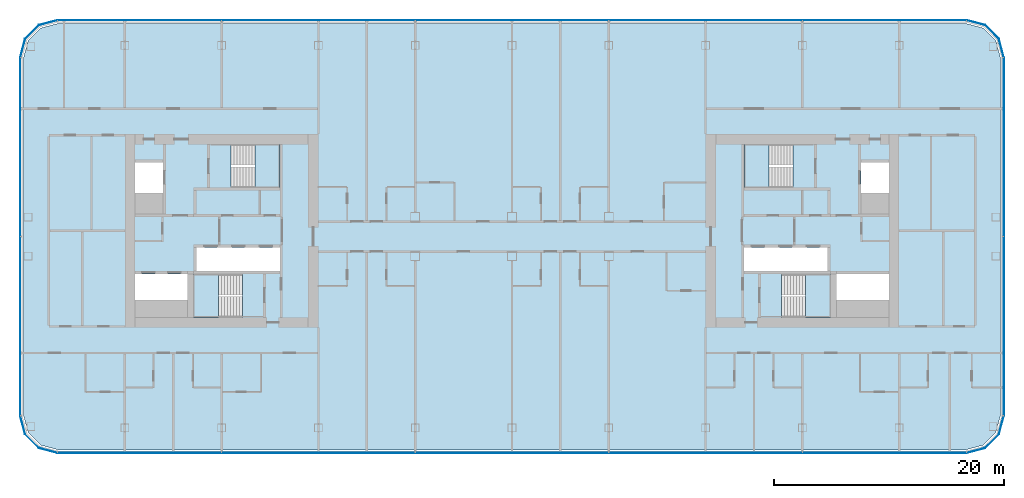
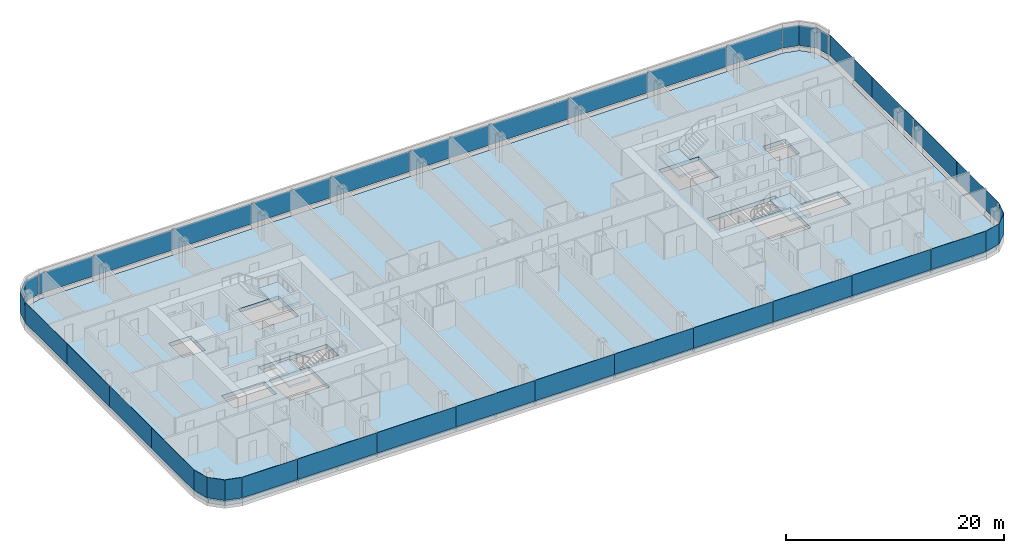
# One storey, part 11 of 26: 32 plates, 5 slabs, 12 elements without a shape of their own.
"""IFC4 building model written with IfcOpenShell, lengths in metres."""

from ifc_helpers import new_model, si_unit, direction, frame, origin, origin_2d, place, context, subcontext, project, spatial, polyline, rectangle, outline, extrude, material, layer, layer_set, type_object, element, aggregate, save


model = new_model("IFC4")

# Units and contexts
model_context = context("Model", 3, precision=1e-05, world=origin(), true_north=direction((0.0, 1.0)))
body_context = subcontext(model_context, "Body", "Model", "MODEL_VIEW")
ifc_project = project(units=[si_unit("LENGTHUNIT", "METRE"), si_unit("AREAUNIT", "SQUARE_METRE"), si_unit("VOLUMEUNIT", "CUBIC_METRE"), si_unit("PLANEANGLEUNIT", "RADIAN"), si_unit("MASSUNIT", "GRAM", prefix="KILO")], contexts=[model_context])

# Site, building, storey
site_placement = place(None, origin())
site = spatial("IfcSite", under=ifc_project, at=site_placement, CompositionType="ELEMENT")
building_placement = place(site_placement, origin())
building = spatial("IfcBuilding", under=site, at=building_placement, Name="Hakoniwa Tower and Hamabe Station Hall", CompositionType="ELEMENT")
storey_placement = place(building_placement, frame((0.0, 0.0, 172.60009765625)))
storey = spatial("IfcBuildingStorey", under=building, at=storey_placement, Name="L49", CompositionType="ELEMENT", Elevation=172.60009765625)

# Stair, slab
ifc_material_1 = material(Name="Concrete C40", Category="concrete")
stair_type = type_object("IfcStairType", Name="ESCAPE STAIR 1800", PredefinedType="HALF_TURN_STAIR", material=ifc_material_1)
stair_1_placement = place(storey_placement, origin())
stair_1 = element("IfcStair", 1, at=stair_1_placement, inside=storey, type_object=stair_type, Name="Escape stair ST-1 L49", PredefinedType="HALF_TURN_STAIR")
ifc_material_2 = material(Name="Concrete C40", Category="concrete")
ifc_layer_1 = layer(ifc_material_2, 0.25)
ifc_layer_set_1 = layer_set([ifc_layer_1], Name="CORE STAIR LANDING 250")
slab_type_1 = type_object("IfcSlabType", Name="CORE STAIR LANDING 250", PredefinedType="LANDING", material=ifc_layer_set_1)
slab_1_placement = place(storey_placement, frame((0.0, 0.0, 1.349853515625)))
slab_1 = element("IfcSlab", 2, at=slab_1_placement, type_object=slab_type_1, Name="ST-1 landing 1", PredefinedType="LANDING", context=body_context, shape_type="SweptSolid", body=[
    extrude(outline(polyline([(-22.320068359375, 3.75), (-20.14990234375, 3.75), (-20.14990234375, 7.5), (-22.320068359375, 7.5), (-22.320068359375, 3.75)])), origin(), (0.0, 0.0, 1.0), 0.25),
])
aggregate(stair_1, [slab_1])

stair_2_placement = place(storey_placement, origin())
stair_2 = element("IfcStair", 3, at=stair_2_placement, inside=storey, type_object=stair_type, Name="Escape stair ST-2 L49", PredefinedType="HALF_TURN_STAIR")
slab_2_placement = place(storey_placement, frame((0.0, 0.0, 1.349853515625)))
slab_2 = element("IfcSlab", 4, at=slab_2_placement, type_object=slab_type_1, Name="ST-2 landing 1", PredefinedType="LANDING", context=body_context, shape_type="SweptSolid", body=[
    extrude(outline(polyline([(-25.47998046875, -7.5), (-27.64990234375, -7.5), (-27.64990234375, -3.75), (-25.47998046875, -3.75), (-25.47998046875, -7.5)])), origin(), (0.0, 0.0, 1.0), 0.25),
])
aggregate(stair_2, [slab_2])

stair_3_placement = place(storey_placement, origin())
stair_3 = element("IfcStair", 5, at=stair_3_placement, inside=storey, type_object=stair_type, Name="Escape stair ST-3 L49", PredefinedType="HALF_TURN_STAIR")
slab_3_placement = place(storey_placement, frame((0.0, 0.0, 1.349853515625)))
slab_3 = element("IfcSlab", 6, at=slab_3_placement, type_object=slab_type_1, Name="ST-3 landing 1", PredefinedType="LANDING", context=body_context, shape_type="SweptSolid", body=[
    extrude(outline(polyline([(22.320068359375, 3.75), (20.14990234375, 3.75), (20.14990234375, 7.5), (22.320068359375, 7.5), (22.320068359375, 3.75)])), origin(), (0.0, 0.0, 1.0), 0.25),
])
aggregate(stair_3, [slab_3])

stair_4_placement = place(storey_placement, origin())
stair_4 = element("IfcStair", 7, at=stair_4_placement, inside=storey, type_object=stair_type, Name="Escape stair ST-4 L49", PredefinedType="HALF_TURN_STAIR")
slab_4_placement = place(storey_placement, frame((0.0, 0.0, 1.349853515625)))
slab_4 = element("IfcSlab", 8, at=slab_4_placement, type_object=slab_type_1, Name="ST-4 landing 1", PredefinedType="LANDING", context=body_context, shape_type="SweptSolid", body=[
    extrude(outline(polyline([(25.47998046875, -7.5), (27.64990234375, -7.5), (27.64990234375, -3.75), (25.47998046875, -3.75), (25.47998046875, -7.5)])), origin(), (0.0, 0.0, 1.0), 0.25),
])
aggregate(stair_4, [slab_4])

# Curtain wall, plates
ifc_material_3 = material(Name="Dark low-e laminated glass", Category="glass")
ifc_layer_2 = layer(ifc_material_3, 0.199951171875)
ifc_layer_set_2 = layer_set([ifc_layer_2], Name="CW-1 UNITISED GUEST")
curtain_wall_type = type_object("IfcCurtainWallType", Name="CW-1 UNITISED GUEST", PredefinedType="NOTDEFINED", material=ifc_layer_set_2)
curtain_wall_1_placement = place(storey_placement, origin())
curtain_wall_1 = element("IfcCurtainWall", 9, at=curtain_wall_1_placement, inside=storey, type_object=curtain_wall_type, Name="CW-1 curtain wall", PredefinedType="NOTDEFINED")
ifc_material_4 = material(Name="Dark low-e laminated glass", Category="glass")
ifc_layer_3 = layer(ifc_material_4, 0.028076171875)
ifc_layer_set_3 = layer_set([ifc_layer_3], Name="CW-1 GLASS UNIT")
plate_type = type_object("IfcPlateType", Name="CW-1 GLASS UNIT", PredefinedType="CURTAIN_PANEL", material=ifc_layer_set_3)
plate_1_placement = place(storey_placement, frame((42.68603515625, -12.154541015625, 0.35009765625), z_axis=(0.0, 0.0, 1.0), x_axis=(0.0, 1.0, 0.0)))
plate_1 = element("IfcPlate", 10, at=plate_1_placement, type_object=plate_type, Name="CW-1 glass unit", PredefinedType="CURTAIN_PANEL", context=body_context, shape_type="SweptSolid", body=[
    extrude(rectangle(XDim=7.749755859375, YDim=0.028076171875, at=origin_2d()), origin(), (0.0, 0.0, 1.0), 2.300048828125),
])
plate_2_placement = place(storey_placement, frame((42.68603515625, -4.384765625, 0.35009765625), z_axis=(0.0, 0.0, 1.0), x_axis=(0.0, 1.0, 0.0)))
plate_2 = element("IfcPlate", 11, at=plate_2_placement, type_object=plate_type, Name="CW-1 glass unit", PredefinedType="CURTAIN_PANEL", context=body_context, shape_type="SweptSolid", body=[
    extrude(rectangle(XDim=7.749755859375, YDim=0.028076171875, at=origin_2d()), origin(), (0.0, 0.0, 1.0), 2.300048828125),
])
plate_3_placement = place(storey_placement, frame((42.68603515625, 3.384765625, 0.35009765625), z_axis=(0.0, 0.0, 1.0), x_axis=(0.0, 1.0, 0.0)))
plate_3 = element("IfcPlate", 12, at=plate_3_placement, type_object=plate_type, Name="CW-1 glass unit", PredefinedType="CURTAIN_PANEL", context=body_context, shape_type="SweptSolid", body=[
    extrude(rectangle(XDim=7.749755859375, YDim=0.028076171875, at=origin_2d()), origin(), (0.0, 0.0, 1.0), 2.300048828125),
])
plate_4_placement = place(storey_placement, frame((42.68603515625, 11.154541015625, 0.35009765625), z_axis=(0.0, 0.0, 1.0), x_axis=(0.0, 1.0, 0.0)))
plate_4 = element("IfcPlate", 13, at=plate_4_placement, type_object=plate_type, Name="CW-1 glass unit", PredefinedType="CURTAIN_PANEL", context=body_context, shape_type="SweptSolid", body=[
    extrude(rectangle(XDim=7.749755859375, YDim=0.028076171875, at=origin_2d()), origin(), (0.0, 0.0, 1.0), 2.300048828125),
])
aggregate(curtain_wall_1, [plate_1, plate_2, plate_3, plate_4])

# Curtain wall, plate
curtain_wall_2_placement = place(storey_placement, origin())
curtain_wall_2 = element("IfcCurtainWall", 14, at=curtain_wall_2_placement, inside=storey, type_object=curtain_wall_type, Name="CW-1 curtain wall", PredefinedType="NOTDEFINED")
plate_5_placement = place(storey_placement, frame((0.0, 0.0, 0.349853515625)))
plate_5 = element("IfcPlate", 15, at=plate_5_placement, type_object=plate_type, Name="CW-1 curved corner unit", PredefinedType="CURTAIN_PANEL", context=body_context, shape_type="SweptSolid", body=[
    extrude(outline(polyline([(42.689697265625, 15.078125), (42.26708984375, 16.6552734375), (41.05517578125, 17.866943359375), (39.47802734375, 18.28955078125), (39.470947265625, 18.2626953125), (41.040771484375, 17.842041015625), (42.241943359375, 16.640869140625), (42.66259765625, 15.07080078125), (42.689697265625, 15.078125)])), origin(), (0.0, 0.0, 1.0), 2.300048828125),
])
aggregate(curtain_wall_2, [plate_5])

# Curtain wall, plates
curtain_wall_3_placement = place(storey_placement, origin())
curtain_wall_3 = element("IfcCurtainWall", 16, at=curtain_wall_3_placement, inside=storey, type_object=curtain_wall_type, Name="CW-1 curtain wall", PredefinedType="NOTDEFINED")
plate_6_placement = place(storey_placement, frame((36.519775390625, 18.285888671875, 0.35009765625), z_axis=(0.0, 0.0, 1.0), x_axis=(-1.0, 0.0, 0.0)))
plate_6 = element("IfcPlate", 17, at=plate_6_placement, type_object=plate_type, Name="CW-1 glass unit", PredefinedType="CURTAIN_PANEL", context=body_context, shape_type="SweptSolid", body=[
    extrude(rectangle(XDim=5.819580078125, YDim=0.028076171875, at=origin_2d()), origin(), (0.0, 0.0, 1.0), 2.300048828125),
])
plate_7_placement = place(storey_placement, frame((29.39990234375, 18.285888671875, 0.35009765625), z_axis=(0.0, 0.0, 1.0), x_axis=(-1.0, 0.0, 0.0)))
plate_7 = element("IfcPlate", 18, at=plate_7_placement, type_object=plate_type, Name="CW-1 glass unit", PredefinedType="CURTAIN_PANEL", context=body_context, shape_type="SweptSolid", body=[
    extrude(rectangle(XDim=8.3798828125, YDim=0.028076171875, at=origin_2d()), origin(), (0.0, 0.0, 1.0), 2.300048828125),
])
plate_8_placement = place(storey_placement, frame((21.0, 18.285888671875, 0.35009765625), z_axis=(0.0, 0.0, 1.0), x_axis=(-1.0, 0.0, 0.0)))
plate_8 = element("IfcPlate", 19, at=plate_8_placement, type_object=plate_type, Name="CW-1 glass unit", PredefinedType="CURTAIN_PANEL", context=body_context, shape_type="SweptSolid", body=[
    extrude(rectangle(XDim=8.3798828125, YDim=0.028076171875, at=origin_2d()), origin(), (0.0, 0.0, 1.0), 2.300048828125),
])
plate_9_placement = place(storey_placement, frame((12.60009765625, 18.285888671875, 0.35009765625), z_axis=(0.0, 0.0, 1.0), x_axis=(-1.0, 0.0, 0.0)))
plate_9 = element("IfcPlate", 20, at=plate_9_placement, type_object=plate_type, Name="CW-1 glass unit", PredefinedType="CURTAIN_PANEL", context=body_context, shape_type="SweptSolid", body=[
    extrude(rectangle(XDim=8.3798828125, YDim=0.028076171875, at=origin_2d()), origin(), (0.0, 0.0, 1.0), 2.300048828125),
])
plate_10_placement = place(storey_placement, frame((4.199951171875, 18.285888671875, 0.35009765625), z_axis=(0.0, 0.0, 1.0), x_axis=(-1.0, 0.0, 0.0)))
plate_10 = element("IfcPlate", 21, at=plate_10_placement, type_object=plate_type, Name="CW-1 glass unit", PredefinedType="CURTAIN_PANEL", context=body_context, shape_type="SweptSolid", body=[
    extrude(rectangle(XDim=8.3798828125, YDim=0.028076171875, at=origin_2d()), origin(), (0.0, 0.0, 1.0), 2.300048828125),
])
plate_11_placement = place(storey_placement, frame((-4.199951171875, 18.285888671875, 0.35009765625), z_axis=(0.0, 0.0, 1.0), x_axis=(-1.0, 0.0, 0.0)))
plate_11 = element("IfcPlate", 22, at=plate_11_placement, type_object=plate_type, Name="CW-1 glass unit", PredefinedType="CURTAIN_PANEL", context=body_context, shape_type="SweptSolid", body=[
    extrude(rectangle(XDim=8.3798828125, YDim=0.028076171875, at=origin_2d()), origin(), (0.0, 0.0, 1.0), 2.300048828125),
])
plate_12_placement = place(storey_placement, frame((-12.60009765625, 18.285888671875, 0.35009765625), z_axis=(0.0, 0.0, 1.0), x_axis=(-1.0, 0.0, 0.0)))
plate_12 = element("IfcPlate", 23, at=plate_12_placement, type_object=plate_type, Name="CW-1 glass unit", PredefinedType="CURTAIN_PANEL", context=body_context, shape_type="SweptSolid", body=[
    extrude(rectangle(XDim=8.3798828125, YDim=0.028076171875, at=origin_2d()), origin(), (0.0, 0.0, 1.0), 2.300048828125),
])
plate_13_placement = place(storey_placement, frame((-21.0, 18.285888671875, 0.35009765625), z_axis=(0.0, 0.0, 1.0), x_axis=(-1.0, 0.0, 0.0)))
plate_13 = element("IfcPlate", 24, at=plate_13_placement, type_object=plate_type, Name="CW-1 glass unit", PredefinedType="CURTAIN_PANEL", context=body_context, shape_type="SweptSolid", body=[
    extrude(rectangle(XDim=8.3798828125, YDim=0.028076171875, at=origin_2d()), origin(), (0.0, 0.0, 1.0), 2.300048828125),
])
plate_14_placement = place(storey_placement, frame((-29.39990234375, 18.285888671875, 0.35009765625), z_axis=(0.0, 0.0, 1.0), x_axis=(-1.0, 0.0, 0.0)))
plate_14 = element("IfcPlate", 25, at=plate_14_placement, type_object=plate_type, Name="CW-1 glass unit", PredefinedType="CURTAIN_PANEL", context=body_context, shape_type="SweptSolid", body=[
    extrude(rectangle(XDim=8.3798828125, YDim=0.028076171875, at=origin_2d()), origin(), (0.0, 0.0, 1.0), 2.300048828125),
])
plate_15_placement = place(storey_placement, frame((-36.519775390625, 18.285888671875, 0.35009765625), z_axis=(0.0, 0.0, 1.0), x_axis=(-1.0, 0.0, 0.0)))
plate_15 = element("IfcPlate", 26, at=plate_15_placement, type_object=plate_type, Name="CW-1 glass unit", PredefinedType="CURTAIN_PANEL", context=body_context, shape_type="SweptSolid", body=[
    extrude(rectangle(XDim=5.819580078125, YDim=0.028076171875, at=origin_2d()), origin(), (0.0, 0.0, 1.0), 2.300048828125),
])
aggregate(curtain_wall_3, [plate_6, plate_7, plate_8, plate_9, plate_10, plate_11, plate_12, plate_13, plate_14, plate_15])

# Curtain wall, plate
curtain_wall_4_placement = place(storey_placement, origin())
curtain_wall_4 = element("IfcCurtainWall", 27, at=curtain_wall_4_placement, inside=storey, type_object=curtain_wall_type, Name="CW-1 curtain wall", PredefinedType="NOTDEFINED")
plate_16_placement = place(storey_placement, frame((0.0, 0.0, 0.349853515625)))
plate_16 = element("IfcPlate", 28, at=plate_16_placement, type_object=plate_type, Name="CW-1 curved corner unit", PredefinedType="CURTAIN_PANEL", context=body_context, shape_type="SweptSolid", body=[
    extrude(outline(polyline([(-39.47802734375, 18.28955078125), (-41.05517578125, 17.866943359375), (-42.26708984375, 16.6552734375), (-42.689697265625, 15.078125), (-42.66259765625, 15.07080078125), (-42.241943359375, 16.640869140625), (-41.040771484375, 17.842041015625), (-39.470947265625, 18.2626953125), (-39.47802734375, 18.28955078125)])), origin(), (0.0, 0.0, 1.0), 2.300048828125),
])
aggregate(curtain_wall_4, [plate_16])

# Curtain wall, plates
curtain_wall_5_placement = place(storey_placement, origin())
curtain_wall_5 = element("IfcCurtainWall", 29, at=curtain_wall_5_placement, inside=storey, type_object=curtain_wall_type, Name="CW-1 curtain wall", PredefinedType="NOTDEFINED")
plate_17_placement = place(storey_placement, frame((-42.68603515625, 11.154541015625, 0.35009765625), z_axis=(0.0, 0.0, 1.0), x_axis=(0.0, -1.0, 0.0)))
plate_17 = element("IfcPlate", 30, at=plate_17_placement, type_object=plate_type, Name="CW-1 glass unit", PredefinedType="CURTAIN_PANEL", context=body_context, shape_type="SweptSolid", body=[
    extrude(rectangle(XDim=7.749755859375, YDim=0.028076171875, at=origin_2d()), origin(), (0.0, 0.0, 1.0), 2.300048828125),
])
plate_18_placement = place(storey_placement, frame((-42.68603515625, 3.384765625, 0.35009765625), z_axis=(0.0, 0.0, 1.0), x_axis=(0.0, -1.0, 0.0)))
plate_18 = element("IfcPlate", 31, at=plate_18_placement, type_object=plate_type, Name="CW-1 glass unit", PredefinedType="CURTAIN_PANEL", context=body_context, shape_type="SweptSolid", body=[
    extrude(rectangle(XDim=7.749755859375, YDim=0.028076171875, at=origin_2d()), origin(), (0.0, 0.0, 1.0), 2.300048828125),
])
plate_19_placement = place(storey_placement, frame((-42.68603515625, -4.384765625, 0.35009765625), z_axis=(0.0, 0.0, 1.0), x_axis=(0.0, -1.0, 0.0)))
plate_19 = element("IfcPlate", 32, at=plate_19_placement, type_object=plate_type, Name="CW-1 glass unit", PredefinedType="CURTAIN_PANEL", context=body_context, shape_type="SweptSolid", body=[
    extrude(rectangle(XDim=7.749755859375, YDim=0.028076171875, at=origin_2d()), origin(), (0.0, 0.0, 1.0), 2.300048828125),
])
plate_20_placement = place(storey_placement, frame((-42.68603515625, -12.154541015625, 0.35009765625), z_axis=(0.0, 0.0, 1.0), x_axis=(0.0, -1.0, 0.0)))
plate_20 = element("IfcPlate", 33, at=plate_20_placement, type_object=plate_type, Name="CW-1 glass unit", PredefinedType="CURTAIN_PANEL", context=body_context, shape_type="SweptSolid", body=[
    extrude(rectangle(XDim=7.749755859375, YDim=0.028076171875, at=origin_2d()), origin(), (0.0, 0.0, 1.0), 2.300048828125),
])
aggregate(curtain_wall_5, [plate_17, plate_18, plate_19, plate_20])

# Curtain wall, plate
curtain_wall_6_placement = place(storey_placement, origin())
curtain_wall_6 = element("IfcCurtainWall", 34, at=curtain_wall_6_placement, inside=storey, type_object=curtain_wall_type, Name="CW-1 curtain wall", PredefinedType="NOTDEFINED")
plate_21_placement = place(storey_placement, frame((0.0, 0.0, 0.349853515625)))
plate_21 = element("IfcPlate", 35, at=plate_21_placement, type_object=plate_type, Name="CW-1 curved corner unit", PredefinedType="CURTAIN_PANEL", context=body_context, shape_type="SweptSolid", body=[
    extrude(outline(polyline([(-42.689697265625, -16.078125), (-42.26708984375, -17.6552734375), (-41.05517578125, -18.866943359375), (-39.47802734375, -19.28955078125), (-39.470947265625, -19.2626953125), (-41.040771484375, -18.842041015625), (-42.241943359375, -17.640869140625), (-42.66259765625, -16.07080078125), (-42.689697265625, -16.078125)])), origin(), (0.0, 0.0, 1.0), 2.300048828125),
])
aggregate(curtain_wall_6, [plate_21])

# Curtain wall, plates
curtain_wall_7_placement = place(storey_placement, origin())
curtain_wall_7 = element("IfcCurtainWall", 36, at=curtain_wall_7_placement, inside=storey, type_object=curtain_wall_type, Name="CW-1 curtain wall", PredefinedType="NOTDEFINED")
plate_22_placement = place(storey_placement, frame((-36.519775390625, -19.285888671875, 0.35009765625), z_axis=(0.0, 0.0, 1.0), x_axis=(1.0, 0.0, 0.0)))
plate_22 = element("IfcPlate", 37, at=plate_22_placement, type_object=plate_type, Name="CW-1 glass unit", PredefinedType="CURTAIN_PANEL", context=body_context, shape_type="SweptSolid", body=[
    extrude(rectangle(XDim=5.819580078125, YDim=0.028076171875, at=origin_2d()), origin(), (0.0, 0.0, 1.0), 2.300048828125),
])
plate_23_placement = place(storey_placement, frame((-29.39990234375, -19.285888671875, 0.35009765625), z_axis=(0.0, 0.0, 1.0), x_axis=(1.0, 0.0, 0.0)))
plate_23 = element("IfcPlate", 38, at=plate_23_placement, type_object=plate_type, Name="CW-1 glass unit", PredefinedType="CURTAIN_PANEL", context=body_context, shape_type="SweptSolid", body=[
    extrude(rectangle(XDim=8.3798828125, YDim=0.028076171875, at=origin_2d()), origin(), (0.0, 0.0, 1.0), 2.300048828125),
])
plate_24_placement = place(storey_placement, frame((-21.0, -19.285888671875, 0.35009765625), z_axis=(0.0, 0.0, 1.0), x_axis=(1.0, 0.0, 0.0)))
plate_24 = element("IfcPlate", 39, at=plate_24_placement, type_object=plate_type, Name="CW-1 glass unit", PredefinedType="CURTAIN_PANEL", context=body_context, shape_type="SweptSolid", body=[
    extrude(rectangle(XDim=8.3798828125, YDim=0.028076171875, at=origin_2d()), origin(), (0.0, 0.0, 1.0), 2.300048828125),
])
plate_25_placement = place(storey_placement, frame((-12.60009765625, -19.285888671875, 0.35009765625), z_axis=(0.0, 0.0, 1.0), x_axis=(1.0, 0.0, 0.0)))
plate_25 = element("IfcPlate", 40, at=plate_25_placement, type_object=plate_type, Name="CW-1 glass unit", PredefinedType="CURTAIN_PANEL", context=body_context, shape_type="SweptSolid", body=[
    extrude(rectangle(XDim=8.3798828125, YDim=0.028076171875, at=origin_2d()), origin(), (0.0, 0.0, 1.0), 2.300048828125),
])
plate_26_placement = place(storey_placement, frame((-4.199951171875, -19.285888671875, 0.35009765625), z_axis=(0.0, 0.0, 1.0), x_axis=(1.0, 0.0, 0.0)))
plate_26 = element("IfcPlate", 41, at=plate_26_placement, type_object=plate_type, Name="CW-1 glass unit", PredefinedType="CURTAIN_PANEL", context=body_context, shape_type="SweptSolid", body=[
    extrude(rectangle(XDim=8.3798828125, YDim=0.028076171875, at=origin_2d()), origin(), (0.0, 0.0, 1.0), 2.300048828125),
])
plate_27_placement = place(storey_placement, frame((4.199951171875, -19.285888671875, 0.35009765625), z_axis=(0.0, 0.0, 1.0), x_axis=(1.0, 0.0, 0.0)))
plate_27 = element("IfcPlate", 42, at=plate_27_placement, type_object=plate_type, Name="CW-1 glass unit", PredefinedType="CURTAIN_PANEL", context=body_context, shape_type="SweptSolid", body=[
    extrude(rectangle(XDim=8.3798828125, YDim=0.028076171875, at=origin_2d()), origin(), (0.0, 0.0, 1.0), 2.300048828125),
])
plate_28_placement = place(storey_placement, frame((12.60009765625, -19.285888671875, 0.35009765625), z_axis=(0.0, 0.0, 1.0), x_axis=(1.0, 0.0, 0.0)))
plate_28 = element("IfcPlate", 43, at=plate_28_placement, type_object=plate_type, Name="CW-1 glass unit", PredefinedType="CURTAIN_PANEL", context=body_context, shape_type="SweptSolid", body=[
    extrude(rectangle(XDim=8.3798828125, YDim=0.028076171875, at=origin_2d()), origin(), (0.0, 0.0, 1.0), 2.300048828125),
])
plate_29_placement = place(storey_placement, frame((21.0, -19.285888671875, 0.35009765625), z_axis=(0.0, 0.0, 1.0), x_axis=(1.0, 0.0, 0.0)))
plate_29 = element("IfcPlate", 44, at=plate_29_placement, type_object=plate_type, Name="CW-1 glass unit", PredefinedType="CURTAIN_PANEL", context=body_context, shape_type="SweptSolid", body=[
    extrude(rectangle(XDim=8.3798828125, YDim=0.028076171875, at=origin_2d()), origin(), (0.0, 0.0, 1.0), 2.300048828125),
])
plate_30_placement = place(storey_placement, frame((29.39990234375, -19.285888671875, 0.35009765625), z_axis=(0.0, 0.0, 1.0), x_axis=(1.0, 0.0, 0.0)))
plate_30 = element("IfcPlate", 45, at=plate_30_placement, type_object=plate_type, Name="CW-1 glass unit", PredefinedType="CURTAIN_PANEL", context=body_context, shape_type="SweptSolid", body=[
    extrude(rectangle(XDim=8.3798828125, YDim=0.028076171875, at=origin_2d()), origin(), (0.0, 0.0, 1.0), 2.300048828125),
])
plate_31_placement = place(storey_placement, frame((36.519775390625, -19.285888671875, 0.35009765625), z_axis=(0.0, 0.0, 1.0), x_axis=(1.0, 0.0, 0.0)))
plate_31 = element("IfcPlate", 46, at=plate_31_placement, type_object=plate_type, Name="CW-1 glass unit", PredefinedType="CURTAIN_PANEL", context=body_context, shape_type="SweptSolid", body=[
    extrude(rectangle(XDim=5.819580078125, YDim=0.028076171875, at=origin_2d()), origin(), (0.0, 0.0, 1.0), 2.300048828125),
])
aggregate(curtain_wall_7, [plate_22, plate_23, plate_24, plate_25, plate_26, plate_27, plate_28, plate_29, plate_30, plate_31])

# Curtain wall, plate
curtain_wall_8_placement = place(storey_placement, origin())
curtain_wall_8 = element("IfcCurtainWall", 47, at=curtain_wall_8_placement, inside=storey, type_object=curtain_wall_type, Name="CW-1 curtain wall", PredefinedType="NOTDEFINED")
plate_32_placement = place(storey_placement, frame((0.0, 0.0, 0.349853515625)))
plate_32 = element("IfcPlate", 48, at=plate_32_placement, type_object=plate_type, Name="CW-1 curved corner unit", PredefinedType="CURTAIN_PANEL", context=body_context, shape_type="SweptSolid", body=[
    extrude(outline(polyline([(39.47802734375, -19.28955078125), (41.05517578125, -18.866943359375), (42.26708984375, -17.6552734375), (42.689697265625, -16.078125), (42.66259765625, -16.07080078125), (42.241943359375, -17.640869140625), (41.040771484375, -18.842041015625), (39.470947265625, -19.2626953125), (39.47802734375, -19.28955078125)])), origin(), (0.0, 0.0, 1.0), 2.300048828125),
])
aggregate(curtain_wall_8, [plate_32])

# Slab
ifc_material_5 = material(Name="Concrete C42", Category="concrete")
ifc_layer_4 = layer(ifc_material_5, 0.449951171875)
ifc_layer_set_4 = layer_set([ifc_layer_4], Name="PT FLAT PLATE 450")
slab_type_2 = type_object("IfcSlabType", Name="PT FLAT PLATE 450", PredefinedType="FLOOR", material=ifc_layer_set_4)
slab_5_placement = place(storey_placement, frame((0.0, 0.0, -0.4501953125)))
element("IfcSlab", 49, at=slab_5_placement, inside=storey, type_object=slab_type_2, Name="Floor slab L49", PredefinedType="FLOOR", context=body_context, shape_type="SweptSolid", body=[
    extrude(outline(polyline([(42.39990234375, -16.0), (42.39990234375, 15.0), (41.998046875, 16.5), (40.89990234375, 17.59814453125), (39.39990234375, 18.0), (-39.39990234375, 18.0), (-40.89990234375, 17.59814453125), (-41.998046875, 16.5), (-42.39990234375, 15.0), (-42.39990234375, -16.0), (-41.998046875, -17.5), (-40.89990234375, -18.59814453125), (-39.39990234375, -19.0), (39.39990234375, -19.0), (40.89990234375, -18.59814453125), (41.998046875, -17.5), (42.39990234375, -16.0)]), holes=[polyline([(-27.39990234375, -3.5), (-27.39990234375, -1.449951171875), (-20.14990234375, -1.449951171875), (-20.14990234375, -3.5), (-27.39990234375, -3.5)]), polyline([(-32.699951171875, 3.300048828125), (-32.699951171875, 5.949951171875), (-30.300048828125, 5.949951171875), (-30.300048828125, 3.300048828125), (-32.699951171875, 3.300048828125)]), polyline([(-32.699951171875, -6.0), (-32.699951171875, -3.75), (-28.14990234375, -3.75), (-28.14990234375, -6.0), (-32.699951171875, -6.0)]), polyline([(-24.389892578125, 3.75), (-24.389892578125, 7.5), (-20.14990234375, 7.5), (-20.14990234375, 3.75), (-24.389892578125, 3.75)]), polyline([(-27.64990234375, -7.5), (-27.64990234375, -3.75), (-23.409912109375, -3.75), (-23.409912109375, -7.5), (-27.64990234375, -7.5)]), polyline([(20.14990234375, -3.5), (20.14990234375, -1.449951171875), (27.39990234375, -1.449951171875), (27.39990234375, -3.5), (20.14990234375, -3.5)]), polyline([(30.300048828125, 3.300048828125), (30.300048828125, 5.949951171875), (32.699951171875, 5.949951171875), (32.699951171875, 3.300048828125), (30.300048828125, 3.300048828125)]), polyline([(28.14990234375, -6.0), (28.14990234375, -3.75), (32.699951171875, -3.75), (32.699951171875, -6.0), (28.14990234375, -6.0)]), polyline([(20.14990234375, 3.75), (20.14990234375, 7.5), (24.389892578125, 7.5), (24.389892578125, 3.75), (20.14990234375, 3.75)]), polyline([(23.409912109375, -7.5), (23.409912109375, -3.75), (27.64990234375, -3.75), (27.64990234375, -7.5), (23.409912109375, -7.5)])]), origin(), (0.0, 0.0, 1.0), 0.4501953125),
])

save(model, "model.ifc")
